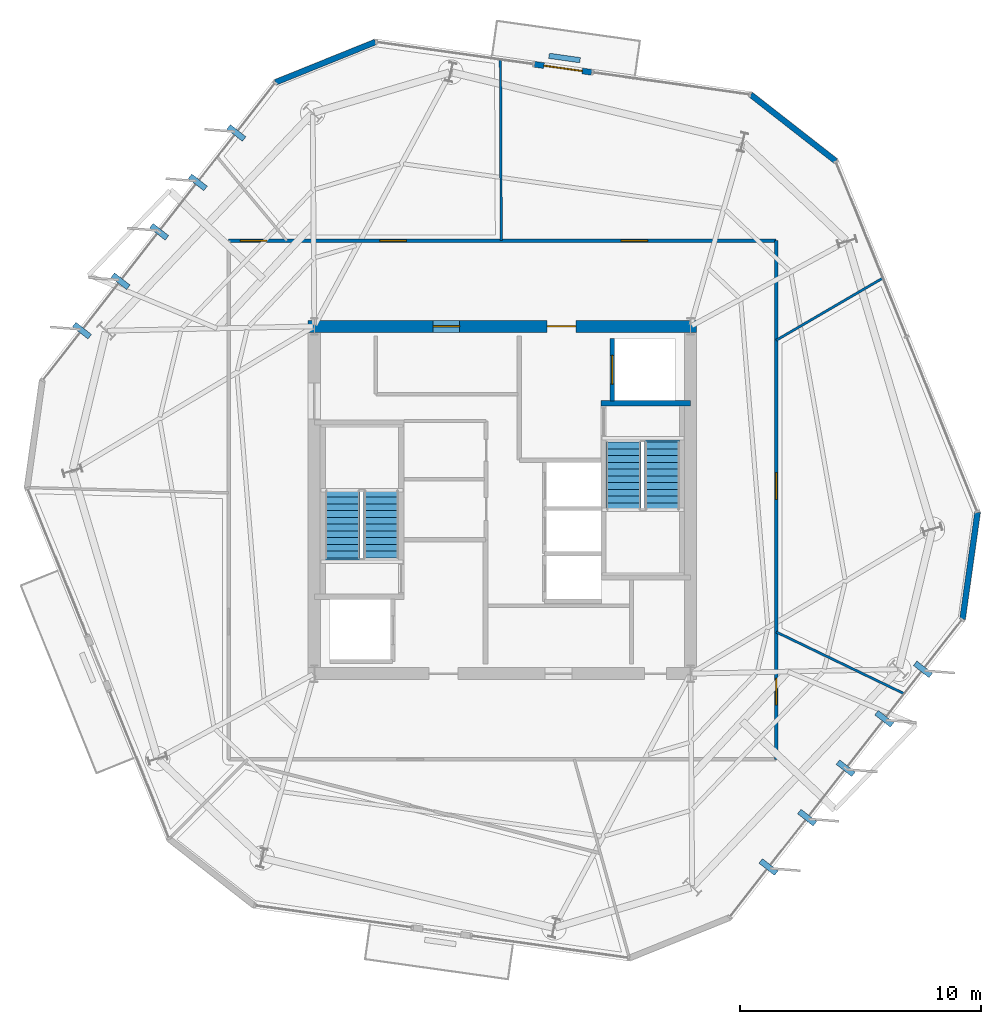
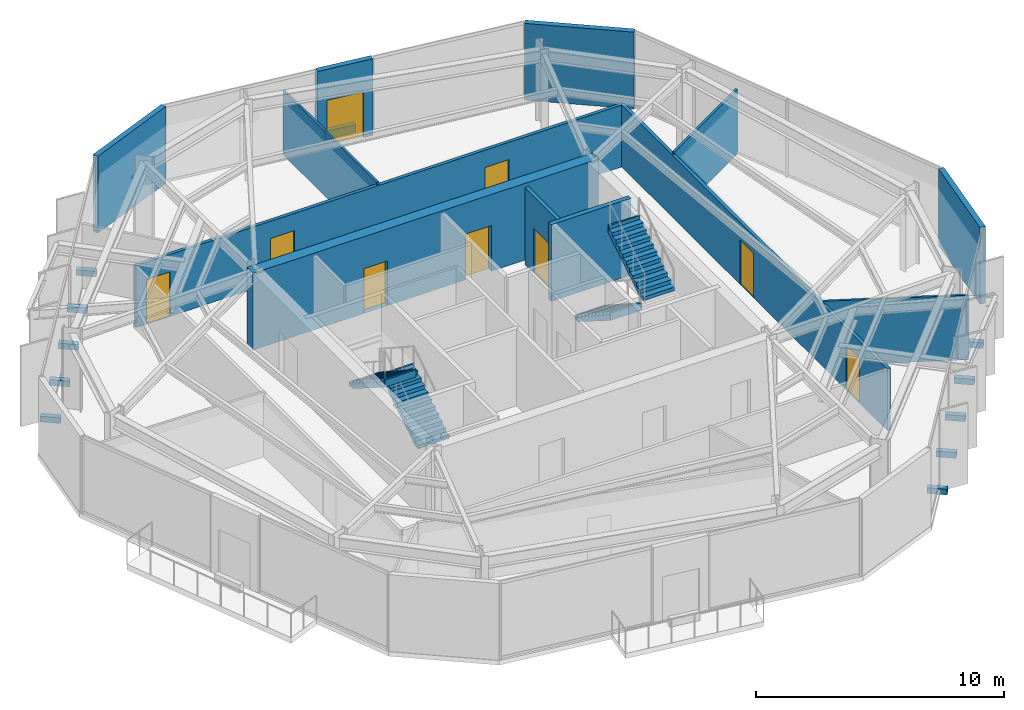
# One storey, part 8 of 11: 13 walls, 10 discrete accessories, 9 doors, 4 stair flights, 9 openings, 2 elements without a shape of their own.
"""IFC4 building model written with IfcOpenShell, lengths in metres."""

from ifc_helpers import new_model, si_unit, direction, frame, frame_2d, origin, origin_2d, place, context, subcontext, project, spatial, polyline, rectangle, outline, extrude, material, layer, layer_set, type_object, element, fill, aggregate, save


model = new_model("IFC4")

# Units and contexts
model_context = context("Model", 3, precision=1e-05, world=origin(), true_north=direction((0.0, 1.0)))
body_context = subcontext(model_context, "Body", "Model", "MODEL_VIEW")
ifc_project = project(units=[si_unit("LENGTHUNIT", "METRE"), si_unit("AREAUNIT", "SQUARE_METRE"), si_unit("VOLUMEUNIT", "CUBIC_METRE"), si_unit("PLANEANGLEUNIT", "RADIAN"), si_unit("MASSUNIT", "GRAM", prefix="KILO")], contexts=[model_context])

# Site, building, storey
site_placement = place(None, origin())
site = spatial("IfcSite", under=ifc_project, at=site_placement, CompositionType="ELEMENT")
building_placement = place(site_placement, origin())
building = spatial("IfcBuilding", under=site, at=building_placement, Name="Kranzbogen Civic Tower", CompositionType="ELEMENT")
storey_placement = place(building_placement, frame((0.0, 0.0, 232.800048828125)))
storey = spatial("IfcBuildingStorey", under=building, at=storey_placement, Name="L56", CompositionType="ELEMENT", Elevation=232.800048828125)

# Wall, openings, doors
ifc_material_1 = material(Name="Double-Stud Acoustic Gypsum Partition")
ifc_layer_1 = layer(ifc_material_1, 0.14990234375, Name="Double-Stud Acoustic Gypsum Partition")
ifc_layer_set_1 = layer_set([ifc_layer_1], Name="Double-Stud Acoustic Gypsum Partition")
wall_type_1 = type_object("IfcWallType", Name="Acoustic Corridor and Clinical Partition 150 mm", PredefinedType="PARTITIONING", material=ifc_layer_set_1)
wall_1_placement = place(storey_placement, frame((13.64990234375, 35.75, 0.0), z_axis=(0.0, 0.0, 1.0), x_axis=(1.0, 0.0, 0.0)))
wall_1 = element("IfcWall", 1, at=wall_1_placement, inside=storey, type_object=wall_type_1, Name="L56 corridor partition 01", PredefinedType="PARTITIONING", context=body_context, shape_type="SweptSolid", body=[
    extrude(rectangle(XDim=22.7001953125, YDim=0.14990234375, at=frame_2d((11.35009765625, 0.0))), origin(), (0.0, 0.0, 1.0), 3.050048828125),
])
opening_1_placement = place(wall_1_placement, frame((16.26708984375, 0.0, 0.0)))
opening_1 = element("IfcOpeningElement", 2, at=opening_1_placement, cuts=wall_1, Name="Opening D-COR60", PredefinedType="OPENING", context=body_context, shape_type="SweptSolid", body=[
    extrude(rectangle(XDim=1.10009765625, YDim=2.199951171875, at=frame_2d((0.550048828125, 1.10009765625))), frame((0.0, 0.0849609375, 0.0), z_axis=(0.0, -1.0, 0.0), x_axis=(1.0, 0.0, 0.0)), (0.0, 0.0, 1.0), 0.169921875),
])
opening_2_placement = place(wall_1_placement, frame((6.27099609375, 0.0, 0.0)))
opening_2 = element("IfcOpeningElement", 3, at=opening_2_placement, cuts=wall_1, Name="Opening D-COR60", PredefinedType="OPENING", context=body_context, shape_type="SweptSolid", body=[
    extrude(rectangle(XDim=1.10009765625, YDim=2.199951171875, at=frame_2d((0.550048828125, 1.10009765625))), frame((0.0, 0.0849609375, 0.0), z_axis=(0.0, -1.0, 0.0), x_axis=(1.0, 0.0, 0.0)), (0.0, 0.0, 1.0), 0.169921875),
])
opening_3_placement = place(wall_1_placement, frame((0.48095703125, 0.0, 0.0)))
opening_3 = element("IfcOpeningElement", 4, at=opening_3_placement, cuts=wall_1, Name="Opening D-COR60", PredefinedType="OPENING", context=body_context, shape_type="SweptSolid", body=[
    extrude(rectangle(XDim=1.10009765625, YDim=2.199951171875, at=frame_2d((0.550048828125, 1.10009765625))), frame((0.0, 0.0849609375, 0.0), z_axis=(0.0, -1.0, 0.0), x_axis=(1.0, 0.0, 0.0)), (0.0, 0.0, 1.0), 0.169921875),
])
ifc_material_2 = material(Name="Oak Timber and Fire Core", Category="wood")
door_type_1 = type_object("IfcDoorType", Name="Corridor Acoustic Fire Door 1100x2200", OperationType="NOTDEFINED", PredefinedType="DOOR", material=ifc_material_2)
door_1_placement = place(opening_1_placement, origin())
door_1 = element("IfcDoor", 5, at=door_1_placement, inside=storey, type_object=door_type_1, Name="L56 Duty Crew Control Room door", OperationType="SINGLE_SWING_LEFT", OverallHeight=2.199951171875, OverallWidth=1.10009765625, PredefinedType="DOOR", context=body_context, shape_type="SweptSolid", body=[
    extrude(rectangle(XDim=1.10009765625, YDim=2.199951171875, at=frame_2d((0.550048828125, 1.10009765625))), frame((0.0, 0.02490234375, 0.0), z_axis=(0.0, -1.0, 0.0), x_axis=(1.0, 0.0, 0.0)), (0.0, 0.0, 1.0), 0.050048828125),
])
fill(opening_1, door_1)
door_2_placement = place(opening_2_placement, origin())
door_2 = element("IfcDoor", 6, at=door_2_placement, inside=storey, type_object=door_type_1, Name="L56 Staff Tea Pantry door", OperationType="SINGLE_SWING_RIGHT", OverallHeight=2.199951171875, OverallWidth=1.10009765625, PredefinedType="DOOR", context=body_context, shape_type="SweptSolid", body=[
    extrude(rectangle(XDim=1.10009765625, YDim=2.199951171875, at=frame_2d((0.550048828125, 1.10009765625))), frame((0.0, 0.02490234375, 0.0), z_axis=(0.0, -1.0, 0.0), x_axis=(1.0, 0.0, 0.0)), (0.0, 0.0, 1.0), 0.050048828125),
])
fill(opening_2, door_2)
door_3_placement = place(opening_3_placement, origin())
door_3 = element("IfcDoor", 7, at=door_3_placement, inside=storey, type_object=door_type_1, Name="L56 Public Delegation Reception door", OperationType="SINGLE_SWING_LEFT", OverallHeight=2.199951171875, OverallWidth=1.10009765625, PredefinedType="DOOR", context=body_context, shape_type="SweptSolid", body=[
    extrude(rectangle(XDim=1.10009765625, YDim=2.199951171875, at=frame_2d((0.550048828125, 1.10009765625))), frame((0.0, 0.02490234375, 0.0), z_axis=(0.0, -1.0, 0.0), x_axis=(1.0, 0.0, 0.0)), (0.0, 0.0, 1.0), 0.050048828125),
])
fill(opening_3, door_3)

wall_2_placement = place(storey_placement, frame((36.35009765625, 35.75, 0.0), z_axis=(0.0, 0.0, 1.0), x_axis=(0.0, -1.0, 0.0)))
wall_2 = element("IfcWall", 8, at=wall_2_placement, inside=storey, type_object=wall_type_1, Name="L56 corridor partition 02", PredefinedType="PARTITIONING", context=body_context, shape_type="SweptSolid", body=[
    extrude(rectangle(XDim=21.5, YDim=0.14990234375, at=frame_2d((10.75, 0.0))), origin(), (0.0, 0.0, 1.0), 3.050048828125),
])
opening_4_placement = place(wall_2_placement, frame((18.14697265625, 0.0, 0.0)))
opening_4 = element("IfcOpeningElement", 9, at=opening_4_placement, cuts=wall_2, Name="Opening D-COR60", PredefinedType="OPENING", context=body_context, shape_type="SweptSolid", body=[
    extrude(rectangle(XDim=1.10009765625, YDim=2.199951171875, at=frame_2d((0.550048828125, 1.10009765625))), frame((0.0, 0.0849609375, 0.0), z_axis=(0.0, -1.0, 0.0), x_axis=(1.0, 0.0, 0.0)), (0.0, 0.0, 1.0), 0.169921875),
])
opening_5_placement = place(wall_2_placement, frame((9.6201171875, 0.0, 0.0)))
opening_5 = element("IfcOpeningElement", 10, at=opening_5_placement, cuts=wall_2, Name="Opening D-COR60", PredefinedType="OPENING", context=body_context, shape_type="SweptSolid", body=[
    extrude(rectangle(XDim=1.10009765625, YDim=2.199951171875, at=frame_2d((0.550048828125, 1.10009765625))), frame((0.0, 0.0849609375, 0.0), z_axis=(0.0, -1.0, 0.0), x_axis=(1.0, 0.0, 0.0)), (0.0, 0.0, 1.0), 0.169921875),
])
door_4_placement = place(opening_4_placement, origin())
door_4 = element("IfcDoor", 11, at=door_4_placement, inside=storey, type_object=door_type_1, Name="L56 Operations Security Control Room door", OperationType="SINGLE_SWING_LEFT", OverallHeight=2.199951171875, OverallWidth=1.10009765625, PredefinedType="DOOR", context=body_context, shape_type="SweptSolid", body=[
    extrude(rectangle(XDim=1.10009765625, YDim=2.199951171875, at=frame_2d((0.550048828125, 1.10009765625))), frame((0.0, 0.02490234375, 0.0), z_axis=(0.0, -1.0, 0.0), x_axis=(1.0, 0.0, 0.0)), (0.0, 0.0, 1.0), 0.050048828125),
])
fill(opening_4, door_4)
door_5_placement = place(opening_5_placement, origin())
door_5 = element("IfcDoor", 12, at=door_5_placement, inside=storey, type_object=door_type_1, Name="L56 Central Mail Post Room door", OperationType="SINGLE_SWING_RIGHT", OverallHeight=2.199951171875, OverallWidth=1.10009765625, PredefinedType="DOOR", context=body_context, shape_type="SweptSolid", body=[
    extrude(rectangle(XDim=1.10009765625, YDim=2.199951171875, at=frame_2d((0.550048828125, 1.10009765625))), frame((0.0, 0.02490234375, 0.0), z_axis=(0.0, -1.0, 0.0), x_axis=(1.0, 0.0, 0.0)), (0.0, 0.0, 1.0), 0.050048828125),
])
fill(opening_5, door_5)

# Wall
ifc_material_3 = material(Name="Architectural Precast Terracotta Concrete C40/50", Category="masonry")
ifc_layer_2 = layer(ifc_material_3, 0.219970703125, Name="Architectural Precast Terracotta Concrete C40/50")
ifc_layer_set_2 = layer_set([ifc_layer_2], Name="Architectural Precast Terracotta Concrete C40/50")
wall_type_2 = type_object("IfcWallType", Name="Architectural Tree Planter Kerb Wall 220 mm", PredefinedType="USERDEFINED", material=ifc_layer_set_2)
wall_3_placement = place(storey_placement, frame((28.218994140625, 43.23388671875, 0.0), z_axis=(0.0, 0.0, 1.0), x_axis=(-0.990358235174, 0.138530018491, 0.0)))
element("IfcWall", 13, at=wall_3_placement, inside=storey, type_object=wall_type_2, Name="L56 landscaped tree balcony planter L56-TB1", ObjectType="PLANTER_WALL", PredefinedType="USERDEFINED", context=body_context, shape_type="SweptSolid", body=[
    extrude(rectangle(XDim=1.300537109375, YDim=0.219970703125, at=frame_2d((0.650390625, 0.0))), origin(), (0.0, 0.0, 1.0), 0.39990234375),
])

# Wall, openings, doors
ifc_material_4 = material(Name="Concrete C45/55", Category="concrete")
ifc_layer_3 = layer(ifc_material_4, 0.5, Name="Concrete C45/55")
ifc_layer_set_3 = layer_set([ifc_layer_3], Name="Concrete C45/55")
wall_type_3 = type_object("IfcWallType", Name="Central Core Shear Wall 500 mm", PredefinedType="SHEAR", material=ifc_layer_set_3)
wall_4_placement = place(storey_placement, frame((33.050048828125, 32.199951171875, 0.0), z_axis=(0.0, 0.0, 1.0), x_axis=(-1.0, 0.0, 0.0)))
wall_4 = element("IfcWall", 14, at=wall_4_placement, inside=storey, type_object=wall_type_3, Name="L56 central core North shear wall", PredefinedType="SHEAR", context=body_context, shape_type="SweptSolid", body=[
    extrude(rectangle(XDim=16.10009765625, YDim=0.5, at=frame_2d((8.050048828125, 0.0))), origin(), (0.0, 0.0, 1.0), 3.780029296875),
])
opening_6_placement = place(wall_4_placement, frame((5.0, 0.0, 0.0)))
opening_6 = element("IfcOpeningElement", 15, at=opening_6_placement, cuts=wall_4, Name="Opening D-EX120", PredefinedType="OPENING", context=body_context, shape_type="SweptSolid", body=[
    extrude(rectangle(XDim=1.199951171875, YDim=2.25, at=frame_2d((0.60009765625, 1.125))), frame((0.0, 0.260009765625, 0.0), z_axis=(0.0, -1.0, 0.0), x_axis=(1.0, 0.0, 0.0)), (0.0, 0.0, 1.0), 0.52001953125),
])
opening_7_placement = place(wall_4_placement, frame((9.824951171875, 0.0, 0.0)))
opening_7 = element("IfcOpeningElement", 16, at=opening_7_placement, cuts=wall_4, Name="Opening D-COR60", PredefinedType="OPENING", context=body_context, shape_type="SweptSolid", body=[
    extrude(rectangle(XDim=1.10009765625, YDim=2.199951171875, at=frame_2d((0.550048828125, 1.10009765625))), frame((0.0, 0.260009765625, 0.0), z_axis=(0.0, -1.0, 0.0), x_axis=(1.0, 0.0, 0.0)), (0.0, 0.0, 1.0), 0.52001953125),
])
door_6_placement = place(opening_7_placement, origin())
door_6 = element("IfcDoor", 17, at=door_6_placement, inside=storey, type_object=door_type_1, Name="L56 DAT1 comms room door", OperationType="SINGLE_SWING_LEFT", OverallHeight=2.199951171875, OverallWidth=1.10009765625, PredefinedType="DOOR", context=body_context, shape_type="SweptSolid", body=[
    extrude(rectangle(XDim=1.10009765625, YDim=2.199951171875, at=frame_2d((0.550048828125, 1.10009765625))), frame((0.0, 0.02490234375, 0.0), z_axis=(0.0, -1.0, 0.0), x_axis=(1.0, 0.0, 0.0)), (0.0, 0.0, 1.0), 0.050048828125),
])
fill(opening_7, door_6)
ifc_material_5 = material(Name="Steel S355", Category="steel")
door_type_2 = type_object("IfcDoorType", Name="Exit Passageway Fire Door 1200x2250", OperationType="NOTDEFINED", PredefinedType="DOOR", material=ifc_material_5)
door_7_placement = place(opening_6_placement, origin())
door_7 = element("IfcDoor", 18, at=door_7_placement, inside=storey, type_object=door_type_2, Name="L56 East firefighting lobby corridor door", OperationType="SINGLE_SWING_RIGHT", OverallHeight=2.25, OverallWidth=1.199951171875, PredefinedType="DOOR", context=body_context, shape_type="SweptSolid", body=[
    extrude(rectangle(XDim=1.199951171875, YDim=2.25, at=frame_2d((0.60009765625, 1.125))), frame((0.0, 0.02490234375, 0.0), z_axis=(0.0, -1.0, 0.0), x_axis=(1.0, 0.0, 0.0)), (0.0, 0.0, 1.0), 0.050048828125),
])
fill(opening_6, door_7)

# Walls
ifc_layer_4 = layer(ifc_material_4, 0.219970703125, Name="Concrete C45/55")
ifc_layer_set_4 = layer_set([ifc_layer_4], Name="Concrete C45/55")
wall_type_4 = type_object("IfcWallType", Name="Core Internal Stair Structural Wall 220 mm", PredefinedType="SOLIDWALL", material=ifc_layer_set_4)
wall_5_placement = place(storey_placement, frame((29.080078125, 29.010009765625, 0.0), z_axis=(0.0, 0.0, 1.0), x_axis=(1.0, 0.0, 0.0)))
element("IfcWall", 19, at=wall_5_placement, inside=storey, type_object=wall_type_4, Name="L56 ST-T2 North structural stair wall", PredefinedType="SOLIDWALL", context=body_context, shape_type="SweptSolid", body=[
    extrude(rectangle(XDim=3.719970703125, YDim=0.219970703125, at=frame_2d((1.85986328125, 0.0))), origin(), (0.0, 0.0, 1.0), 3.780029296875),
])
ifc_material_6 = material(Name="Demountable Aluminium and Gypsum Partition", Category="aluminium")
ifc_layer_5 = layer(ifc_material_6, 0.10009765625, Name="Demountable Aluminium and Gypsum Partition")
ifc_layer_set_5 = layer_set([ifc_layer_5], Name="Demountable Aluminium and Gypsum Partition")
wall_type_5 = type_object("IfcWallType", Name="Demountable Office Partition 100 mm", PredefinedType="MOVABLE", material=ifc_layer_set_5)
wall_6_placement = place(storey_placement, frame((24.950927734375, 35.75, 0.0), z_axis=(0.0, 0.0, 1.0), x_axis=(-0.004528378394, 0.999989746842, 0.0)))
element("IfcWall", 20, at=wall_6_placement, inside=storey, type_object=wall_type_5, Name="L56 radial room partition 01", PredefinedType="MOVABLE", context=body_context, shape_type="SweptSolid", body=[
    extrude(rectangle(XDim=7.493896484375, YDim=0.10009765625, at=frame_2d((3.7470703125, 0.0))), origin(), (0.0, 0.0, 1.0), 3.179931640625),
])
wall_7_placement = place(storey_placement, frame((36.35009765625, 19.528076171875, 0.0), z_axis=(0.0, 0.0, 1.0), x_axis=(0.900766359383, -0.434304001597, 0.0)))
element("IfcWall", 21, at=wall_7_placement, inside=storey, type_object=wall_type_5, Name="L56 radial room partition 06", PredefinedType="MOVABLE", context=body_context, shape_type="SweptSolid", body=[
    extrude(rectangle(XDim=5.8759765625, YDim=0.10009765625, at=frame_2d((2.93798828125, 0.0))), origin(), (0.0, 0.0, 1.0), 3.179931640625),
])
wall_8_placement = place(storey_placement, frame((36.35009765625, 31.6220703125, 0.0), z_axis=(0.0, 0.0, 1.0), x_axis=(0.863766757212, 0.503891842695, 0.0)))
element("IfcWall", 22, at=wall_8_placement, inside=storey, type_object=wall_type_5, Name="L56 radial room partition 07", PredefinedType="MOVABLE", context=body_context, shape_type="SweptSolid", body=[
    extrude(rectangle(XDim=5.104248046875, YDim=0.10009765625, at=frame_2d((2.55224609375, 0.0))), origin(), (0.0, 0.0, 1.0), 3.179931640625),
])

# Wall, opening, door
ifc_material_7 = material(Name="Gypsum Fireboard Shaftliner")
ifc_layer_6 = layer(ifc_material_7, 0.175048828125, Name="Gypsum Fireboard Shaftliner")
ifc_layer_set_6 = layer_set([ifc_layer_6], Name="Gypsum Fireboard Shaftliner")
wall_type_6 = type_object("IfcWallType", Name="Fire-Rated Lift and Service Shaft Wall 175 mm", PredefinedType="PARTITIONING", material=ifc_layer_set_6)
wall_9_placement = place(storey_placement, frame((29.550048828125, 29.10009765625, 0.0), z_axis=(0.0, 0.0, 1.0), x_axis=(0.0, 1.0, 0.0)))
wall_9 = element("IfcWall", 23, at=wall_9_placement, inside=storey, type_object=wall_type_6, Name="L56 lift FF-02 landing wall", PredefinedType="PARTITIONING", context=body_context, shape_type="SweptSolid", body=[
    extrude(rectangle(XDim=2.599853515625, YDim=0.175048828125, at=frame_2d((1.2998046875, 0.0))), origin(), (0.0, 0.0, 1.0), 3.780029296875),
])
opening_8_placement = place(wall_9_placement, frame((0.699951171875, 0.0, 0.0)))
opening_8 = element("IfcOpeningElement", 24, at=opening_8_placement, cuts=wall_9, Name="Opening LD-FF-02", PredefinedType="OPENING", context=body_context, shape_type="SweptSolid", body=[
    extrude(rectangle(XDim=1.199951171875, YDim=2.199951171875, at=frame_2d((0.60009765625, 1.10009765625))), frame((0.0, 0.09765625, 0.0), z_axis=(0.0, -1.0, 0.0), x_axis=(1.0, 0.0, 0.0)), (0.0, 0.0, 1.0), 0.195068359375),
])
ifc_material_8 = material(Name="Pale Anodised Aluminium", Category="aluminium")
door_type_3 = type_object("IfcDoorType", Name="Firefighting and Stretcher Lift Sliding Landing Door 1200x2200", OperationType="DOUBLE_DOOR_SLIDING", PredefinedType="DOOR", material=ifc_material_8)
door_8_placement = place(opening_8_placement, origin())
door_8 = element("IfcDoor", 25, at=door_8_placement, inside=storey, type_object=door_type_3, Name="L56 lift FF-02 sliding landing door", OperationType="DOUBLE_DOOR_SLIDING", OverallHeight=2.199951171875, OverallWidth=1.199951171875, PredefinedType="DOOR", context=body_context, shape_type="SweptSolid", body=[
    extrude(rectangle(XDim=1.199951171875, YDim=2.199951171875, at=frame_2d((0.60009765625, 1.10009765625))), frame((0.0, 0.02490234375, 0.0), z_axis=(0.0, -1.0, 0.0), x_axis=(1.0, 0.0, 0.0)), (0.0, 0.0, 1.0), 0.050048828125),
])
fill(opening_8, door_8)

ifc_layer_7 = layer(ifc_material_8, 0.239990234375, Name="Pale Anodised Aluminium")
ifc_layer_set_7 = layer_set([ifc_layer_7], Name="Pale Anodised Aluminium")
wall_type_7 = type_object("IfcWallType", Name="Insulated Aluminium Facade Portal Wall 240 mm", PredefinedType="STANDARD", material=ifc_layer_set_7)
wall_10_placement = place(storey_placement, frame((28.7041015625, 42.72900390625, 0.0), z_axis=(0.0, 0.0, 1.0), x_axis=(-0.990274320591, 0.139128609486, 0.0)))
wall_10 = element("IfcWall", 26, at=wall_10_placement, inside=storey, type_object=wall_type_7, Name="L56 exterior entrance portal wall 1", PredefinedType="STANDARD", context=body_context, shape_type="SweptSolid", body=[
    extrude(rectangle(XDim=2.400634765625, YDim=0.239990234375, at=frame_2d((1.2001953125, 0.0))), origin(), (0.0, 0.0, 1.0), 3.780029296875),
])
opening_9_placement = place(wall_10_placement, frame((0.39990234375, 0.0, 0.0)))
opening_9 = element("IfcOpeningElement", 27, at=opening_9_placement, cuts=wall_10, Name="Opening D-TER", PredefinedType="OPENING", context=body_context, shape_type="SweptSolid", body=[
    extrude(rectangle(XDim=1.60009765625, YDim=2.25, at=frame_2d((0.800048828125, 1.125))), frame((0.0, 0.1298828125, 0.0), z_axis=(0.0, -1.0, 0.0), x_axis=(1.0, 0.0, 0.0)), (0.0, 0.0, 1.0), 0.260009765625),
])
ifc_material_9 = material(Name="Anodised Bronze and Triple Glass", Category="glass")
door_type_4 = type_object("IfcDoorType", Name="Glazed Terrace and Balcony Double Door 1600x2250", OperationType="DOUBLE_DOOR_SINGLE_SWING", PredefinedType="DOOR", material=ifc_material_9)
door_9_placement = place(opening_9_placement, frame((1.60009765625, 0.0, 0.0), z_axis=(0.0, 0.0, 1.0), x_axis=(-1.0, 0.0, 0.0)))
door_9 = element("IfcDoor", 28, at=door_9_placement, inside=storey, type_object=door_type_4, Name="L56 tree balcony access door L56-TB1", OperationType="DOUBLE_DOOR_SINGLE_SWING", OverallHeight=2.25, OverallWidth=1.60009765625, PredefinedType="DOOR", context=body_context, shape_type="SweptSolid", body=[
    extrude(rectangle(XDim=1.60009765625, YDim=2.25, at=frame_2d((0.800048828125, 1.125))), frame((0.0, 0.02490234375, 0.0), z_axis=(0.0, -1.0, 0.0), x_axis=(1.0, 0.0, 0.0)), (0.0, 0.0, 1.0), 0.050048828125),
])
fill(opening_9, door_9)

# Walls
wall_11_placement = place(storey_placement, frame((19.737060546875, 43.989013671875, 0.0), z_axis=(0.0, 0.0, 1.0), x_axis=(-0.927140363033, -0.374714220754, 0.0)))
element("IfcWall", 29, at=wall_11_placement, inside=storey, type_object=wall_type_7, Name="L56 chamfered corner facade spandrel 1", PredefinedType="STANDARD", context=body_context, shape_type="SweptSolid", body=[
    extrude(rectangle(XDim=4.467529296875, YDim=0.239990234375, at=frame_2d((2.23388671875, 0.0))), origin(), (0.0, 0.0, 1.0), 3.780029296875),
])
wall_12_placement = place(storey_placement, frame((44.074951171875, 20.06298828125, 0.0), z_axis=(0.0, 0.0, 1.0), x_axis=(0.139424759628, 0.990232667812, 0.0)))
element("IfcWall", 30, at=wall_12_placement, inside=storey, type_object=wall_type_7, Name="L56 chamfered corner facade spandrel 5", PredefinedType="STANDARD", context=body_context, shape_type="SweptSolid", body=[
    extrude(rectangle(XDim=4.46875, YDim=0.239990234375, at=frame_2d((2.234375, 0.0))), origin(), (0.0, 0.0, 1.0), 3.780029296875),
])
wall_13_placement = place(storey_placement, frame((38.81396484375, 39.052001953125, 0.0), z_axis=(0.0, 0.0, 1.0), x_axis=(-0.788002835757, 0.615671609577, 0.0)))
element("IfcWall", 31, at=wall_13_placement, inside=storey, type_object=wall_type_7, Name="L56 chamfered corner facade spandrel 6", PredefinedType="STANDARD", context=body_context, shape_type="SweptSolid", body=[
    extrude(rectangle(XDim=4.46826171875, YDim=0.239990234375, at=frame_2d((2.234130859375, 0.0))), origin(), (0.0, 0.0, 1.0), 3.780029296875),
])

# Stair, stair flights
ifc_material_10 = material(Name="Precast concrete C40/50", Category="concrete")
stair_type_1 = type_object("IfcStairType", Name="Tower Core Pressurized Dogleg Stair 1450", PredefinedType="HALF_TURN_STAIR", material=ifc_material_10)
stair_1_placement = place(storey_placement, origin())
stair_1 = element("IfcStair", 32, at=stair_1_placement, inside=storey, type_object=stair_type_1, Name="L56 Tower Core Pressurized Stair 1", PredefinedType="HALF_TURN_STAIR")
stair_flight_type = type_object("IfcStairFlightType", Name="Precast Concrete Stair Flight R180", PredefinedType="STRAIGHT", material=ifc_material_10)
stair_flight_1_placement = place(storey_placement, frame((19.97509765625, 22.60009765625, 0.0), z_axis=(0.0, 0.0, 1.0), x_axis=(0.0, 1.0, 0.0)))
stair_flight_1 = element("IfcStairFlight", 33, at=stair_flight_1_placement, type_object=stair_flight_type, Name="ST-T1 flight 1", NumberOfRisers=11, NumberOfTreads=10, PredefinedType="STRAIGHT", RiserHeight=0.181818182, TreadLength=0.28, context=body_context, shape_type="SweptSolid", body=[
    extrude(outline(polyline([(0.0, 0.0), (0.0, 0.181884765625), (0.280029296875, 0.181884765625), (0.280029296875, 0.363525390625), (0.56005859375, 0.363525390625), (0.56005859375, 0.54541015625), (0.840087890625, 0.54541015625), (0.840087890625, 0.727294921875), (1.1201171875, 0.727294921875), (1.1201171875, 0.9091796875), (1.39990234375, 0.9091796875), (1.39990234375, 1.0908203125), (1.679931640625, 1.0908203125), (1.679931640625, 1.272705078125), (1.9599609375, 1.272705078125), (1.9599609375, 1.45458984375), (2.239990234375, 1.45458984375), (2.239990234375, 1.636474609375), (2.52001953125, 1.636474609375), (2.52001953125, 1.818115234375), (2.800048828125, 1.818115234375), (2.800048828125, 2.0), (2.880126953125, 2.0), (2.880126953125, 1.639404296875), (0.275146484375, 0.0), (0.0, 0.0)])), frame((0.0, 0.72509765625, 0.0), z_axis=(0.0, -1.0, 0.0), x_axis=(1.0, 0.0, 0.0)), (0.0, 0.0, 1.0), 1.449951171875),
])
stair_flight_2_placement = place(storey_placement, frame((18.375, 25.39990234375, 2.0), z_axis=(0.0, 0.0, 1.0), x_axis=(0.0, -1.0, 0.0)))
stair_flight_2 = element("IfcStairFlight", 34, at=stair_flight_2_placement, type_object=stair_flight_type, Name="ST-T1 flight 2", NumberOfRisers=11, NumberOfTreads=10, PredefinedType="STRAIGHT", RiserHeight=0.181818182, TreadLength=0.28, context=body_context, shape_type="SweptSolid", body=[
    extrude(outline(polyline([(0.0, 0.0), (0.0, 0.181884765625), (0.280029296875, 0.181884765625), (0.280029296875, 0.363525390625), (0.56005859375, 0.363525390625), (0.56005859375, 0.54541015625), (0.840087890625, 0.54541015625), (0.840087890625, 0.727294921875), (1.1201171875, 0.727294921875), (1.1201171875, 0.9091796875), (1.39990234375, 0.9091796875), (1.39990234375, 1.0908203125), (1.679931640625, 1.0908203125), (1.679931640625, 1.272705078125), (1.9599609375, 1.272705078125), (1.9599609375, 1.45458984375), (2.239990234375, 1.45458984375), (2.239990234375, 1.636474609375), (2.52001953125, 1.636474609375), (2.52001953125, 1.818115234375), (2.800048828125, 1.818115234375), (2.800048828125, 2.0), (2.880126953125, 2.0), (2.880126953125, 1.639404296875), (0.275146484375, 0.0), (0.0, 0.0)])), frame((0.0, 0.72509765625, 0.0), z_axis=(0.0, -1.0, 0.0), x_axis=(1.0, 0.0, 0.0)), (0.0, 0.0, 1.0), 1.449951171875),
])
aggregate(stair_1, [stair_flight_1, stair_flight_2])

stair_type_2 = type_object("IfcStairType", Name="Tower Core Secondary Dogleg Stair 1450", PredefinedType="HALF_TURN_STAIR", material=ifc_material_10)
stair_2_placement = place(storey_placement, origin())
stair_2 = element("IfcStair", 35, at=stair_2_placement, inside=storey, type_object=stair_type_2, Name="L56 Tower Core Pressurized Stair 2", PredefinedType="HALF_TURN_STAIR")
stair_flight_3_placement = place(storey_placement, frame((30.02490234375, 27.39990234375, 0.0), z_axis=(0.0, 0.0, 1.0), x_axis=(0.0, -1.0, 0.0)))
stair_flight_3 = element("IfcStairFlight", 36, at=stair_flight_3_placement, type_object=stair_flight_type, Name="ST-T2 flight 1", NumberOfRisers=11, NumberOfTreads=10, PredefinedType="STRAIGHT", RiserHeight=0.181818182, TreadLength=0.28, context=body_context, shape_type="SweptSolid", body=[
    extrude(outline(polyline([(0.0, 0.0), (0.0, 0.181884765625), (0.280029296875, 0.181884765625), (0.280029296875, 0.363525390625), (0.56005859375, 0.363525390625), (0.56005859375, 0.54541015625), (0.840087890625, 0.54541015625), (0.840087890625, 0.727294921875), (1.1201171875, 0.727294921875), (1.1201171875, 0.9091796875), (1.39990234375, 0.9091796875), (1.39990234375, 1.0908203125), (1.679931640625, 1.0908203125), (1.679931640625, 1.272705078125), (1.9599609375, 1.272705078125), (1.9599609375, 1.45458984375), (2.239990234375, 1.45458984375), (2.239990234375, 1.636474609375), (2.52001953125, 1.636474609375), (2.52001953125, 1.818115234375), (2.800048828125, 1.818115234375), (2.800048828125, 2.0), (2.880126953125, 2.0), (2.880126953125, 1.639404296875), (0.275146484375, 0.0), (0.0, 0.0)])), frame((0.0, 0.72509765625, 0.0), z_axis=(0.0, -1.0, 0.0), x_axis=(1.0, 0.0, 0.0)), (0.0, 0.0, 1.0), 1.449951171875),
])
stair_flight_4_placement = place(storey_placement, frame((31.625, 24.60009765625, 2.0), z_axis=(0.0, 0.0, 1.0), x_axis=(0.0, 1.0, 0.0)))
stair_flight_4 = element("IfcStairFlight", 37, at=stair_flight_4_placement, type_object=stair_flight_type, Name="ST-T2 flight 2", NumberOfRisers=11, NumberOfTreads=10, PredefinedType="STRAIGHT", RiserHeight=0.181818182, TreadLength=0.28, context=body_context, shape_type="SweptSolid", body=[
    extrude(outline(polyline([(0.0, 0.0), (0.0, 0.181884765625), (0.280029296875, 0.181884765625), (0.280029296875, 0.363525390625), (0.56005859375, 0.363525390625), (0.56005859375, 0.54541015625), (0.840087890625, 0.54541015625), (0.840087890625, 0.727294921875), (1.1201171875, 0.727294921875), (1.1201171875, 0.9091796875), (1.39990234375, 0.9091796875), (1.39990234375, 1.0908203125), (1.679931640625, 1.0908203125), (1.679931640625, 1.272705078125), (1.9599609375, 1.272705078125), (1.9599609375, 1.45458984375), (2.239990234375, 1.45458984375), (2.239990234375, 1.636474609375), (2.52001953125, 1.636474609375), (2.52001953125, 1.818115234375), (2.800048828125, 1.818115234375), (2.800048828125, 2.0), (2.880126953125, 2.0), (2.880126953125, 1.639404296875), (0.275146484375, 0.0), (0.0, 0.0)])), frame((0.0, 0.72509765625, 0.0), z_axis=(0.0, -1.0, 0.0), x_axis=(1.0, 0.0, 0.0)), (0.0, 0.0, 1.0), 1.449951171875),
])
aggregate(stair_2, [stair_flight_3, stair_flight_4])

# Discrete accessories
discrete_accessory_type = type_object("IfcDiscreteAccessoryType", Name="Structural Curtain-Wall Fin Support Bracket", PredefinedType="BRACKET", material=ifc_material_5)
for number, where, z_axis, x_axis, name in (
    (38, (13.969970703125, 40.217041015625, -0.25), (0.0, 0.0, 1.0), (-0.788010753607, 0.615661475326, 0.0), "L56 facade fin support bracket F2-1"),
    (39, (12.368896484375, 38.16796875, -0.25), (0.0, 0.0, 1.0), (-0.788010753607, 0.615661475326, 0.0), "L56 facade fin support bracket F2-2"),
    (40, (10.76904296875, 36.118896484375, -0.25), (0.0, 0.0, 1.0), (-0.788010753607, 0.615661475326, 0.0), "L56 facade fin support bracket F2-3"),
    (41, (9.16796875, 34.070068359375, -0.25), (0.0, 0.0, 1.0), (-0.788010753607, 0.615661475326, 0.0), "L56 facade fin support bracket F2-4"),
    (42, (7.56689453125, 32.02099609375, -0.25), (0.0, 0.0, 1.0), (-0.788010753607, 0.615661475326, 0.0), "L56 facade fin support bracket F2-5"),
    (43, (36.030029296875, 9.782958984375, -0.25), (0.0, 0.0, 1.0), (0.788010753607, -0.615661475326, 0.0), "L56 facade fin support bracket F5-1"),
    (44, (37.631103515625, 11.83203125, -0.25), (0.0, 0.0, 1.0), (0.788010753607, -0.615661475326, 0.0), "L56 facade fin support bracket F5-2"),
    (45, (39.23095703125, 13.881103515625, -0.25), (0.0, 0.0, 1.0), (0.788010753607, -0.615661475326, 0.0), "L56 facade fin support bracket F5-3"),
    (46, (40.83203125, 15.929931640625, -0.25), (0.0, 0.0, 1.0), (0.788010753607, -0.615661475326, 0.0), "L56 facade fin support bracket F5-4"),
    (47, (42.43310546875, 17.97900390625, -0.25), (0.0, 0.0, 1.0), (0.788010753607, -0.615661475326, 0.0), "L56 facade fin support bracket F5-5"),
):
    element("IfcDiscreteAccessory", number, at=place(storey_placement, frame(where, z_axis=z_axis, x_axis=x_axis)), inside=storey, type_object=discrete_accessory_type, Name=name, PredefinedType="BRACKET", context=body_context, shape_type="SweptSolid", body=[
        extrude(rectangle(XDim=0.820068359375, YDim=0.239990234375, at=origin_2d()), origin(), (0.0, 0.0, 1.0), 0.280029296875),
    ])

save(model, "model.ifc")
